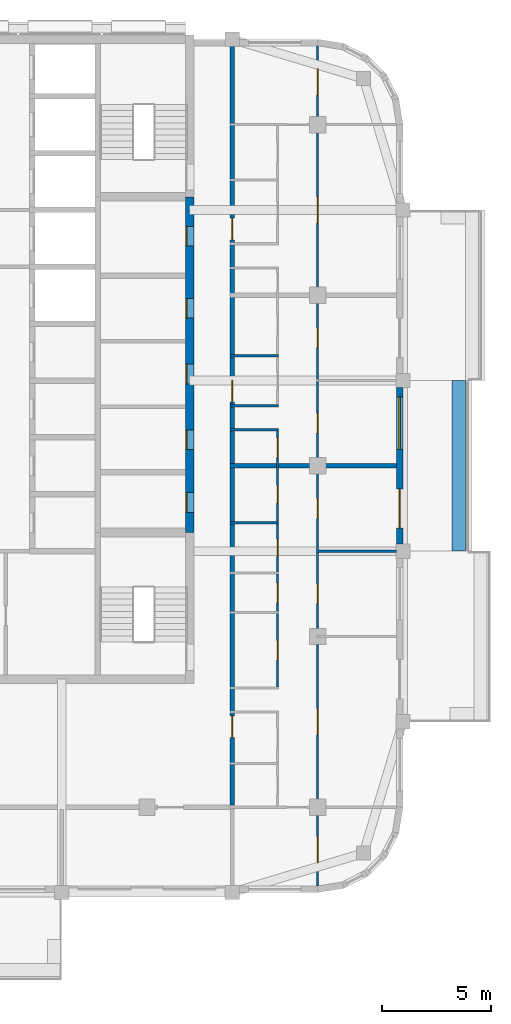
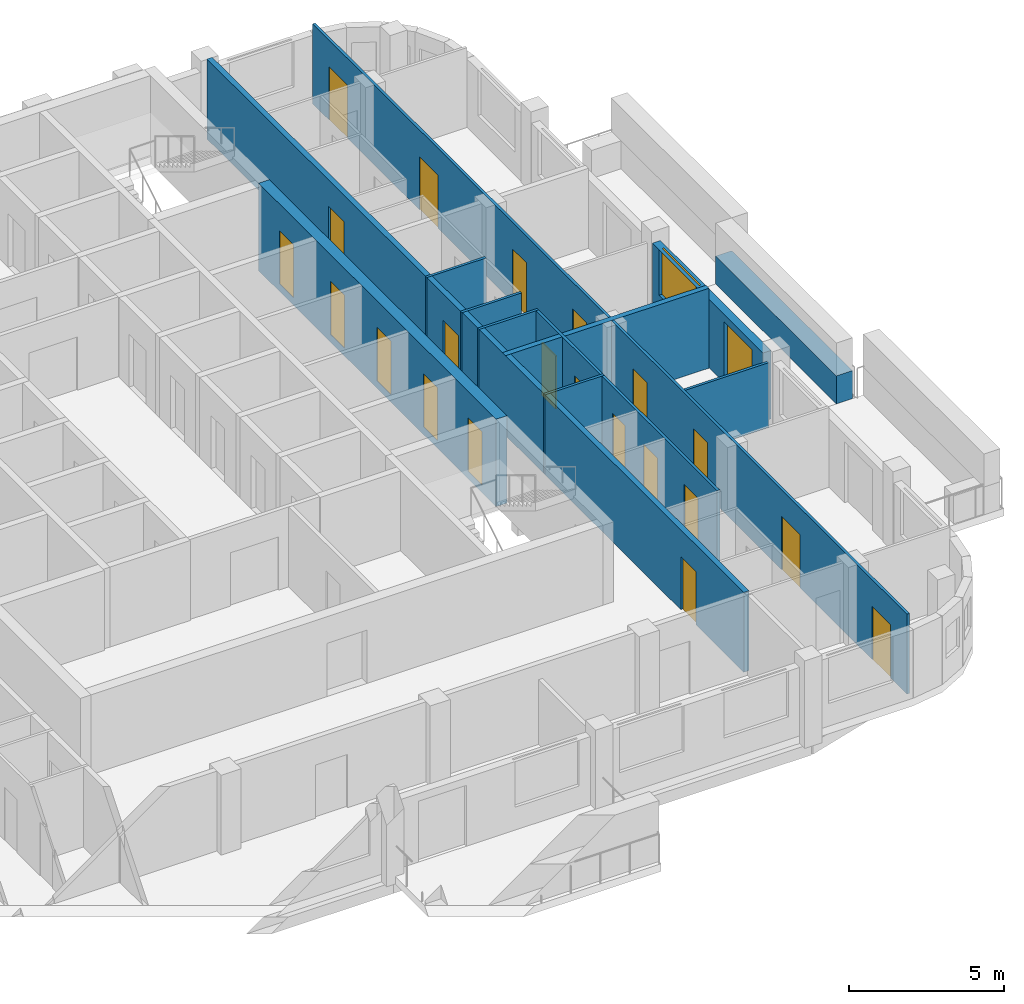
# One storey, part 6 of 13: 22 doors, 12 walls, 1 window, 23 openings.
"""IFC4 building model written with IfcOpenShell, lengths in metres."""

from ifc_helpers import new_model, si_unit, direction, frame, frame_2d, origin, place, context, subcontext, project, spatial, rectangle, extrude, material, layer, layer_set, type_object, element, fill, save


model = new_model("IFC4")

# Units and contexts
model_context = context("Model", 3, precision=1e-05, world=origin(), true_north=direction((0.0, 1.0)))
body_context = subcontext(model_context, "Body", "Model", "MODEL_VIEW")
ifc_project = project(units=[si_unit("LENGTHUNIT", "METRE"), si_unit("AREAUNIT", "SQUARE_METRE"), si_unit("VOLUMEUNIT", "CUBIC_METRE"), si_unit("PLANEANGLEUNIT", "RADIAN"), si_unit("MASSUNIT", "GRAM", prefix="KILO")], contexts=[model_context])

# Site, building, storey
site_placement = place(None, origin())
site = spatial("IfcSite", under=ifc_project, at=site_placement, CompositionType="ELEMENT")
building_placement = place(site_placement, origin())
building = spatial("IfcBuilding", under=site, at=building_placement, Name="Ludao Terraces", CompositionType="ELEMENT")
storey_placement = place(building_placement, frame((0.0, 0.0, 246.0)))
storey = spatial("IfcBuildingStorey", under=building, at=storey_placement, Name="L67", CompositionType="ELEMENT", Elevation=246.0)

# Wall, openings, doors
ifc_material_1 = material(Name="Concrete C50", Category="concrete")
ifc_layer_1 = layer(ifc_material_1, 0.39990234375)
ifc_layer_set_1 = layer_set([ifc_layer_1], Name="Core wall 400 C50")
wall_type_1 = type_object("IfcWallType", Name="Core wall 400 C50", PredefinedType="SOLIDWALL", material=ifc_layer_set_1)
wall_1_placement = place(storey_placement, frame((94.75, 61.949951171875, -0.300048828125), z_axis=(0.0, 0.0, 1.0), x_axis=(0.0, 1.0, 0.0)))
wall_1 = element("IfcWall", 1, at=wall_1_placement, inside=storey, type_object=wall_type_1, Name="Core wall L67 outer-E", PredefinedType="SOLIDWALL", context=body_context, shape_type="SweptSolid", body=[
    extrude(rectangle(XDim=15.35009765625, YDim=0.39990234375, at=frame_2d((7.675048828125, 0.0))), origin(), (0.0, 0.0, 1.0), 3.449951171875),
])
opening_1_placement = place(wall_1_placement, frame((0.925048828125, 0.0, 0.300048828125)))
opening_1 = element("IfcOpeningElement", 2, at=opening_1_placement, cuts=wall_1, Name="Opening R24-033", PredefinedType="OPENING", context=body_context, shape_type="SweptSolid", body=[
    extrude(rectangle(XDim=0.89990234375, YDim=2.10009765625, at=frame_2d((0.449951171875, 1.050048828125))), frame((0.0, 0.2099609375, 0.0), z_axis=(0.0, -1.0, 0.0), x_axis=(1.0, 0.0, 0.0)), (0.0, 0.0, 1.0), 0.419921875),
])
opening_2_placement = place(wall_1_placement, frame((3.800048828125, 0.0, 0.300048828125)))
opening_2 = element("IfcOpeningElement", 3, at=opening_2_placement, cuts=wall_1, Name="Opening R24-040", PredefinedType="OPENING", context=body_context, shape_type="SweptSolid", body=[
    extrude(rectangle(XDim=0.89990234375, YDim=2.10009765625, at=frame_2d((0.449951171875, 1.050048828125))), frame((0.0, 0.2099609375, 0.0), z_axis=(0.0, -1.0, 0.0), x_axis=(1.0, 0.0, 0.0)), (0.0, 0.0, 1.0), 0.419921875),
])
opening_3_placement = place(wall_1_placement, frame((6.800048828125, 0.0, 0.300048828125)))
opening_3 = element("IfcOpeningElement", 4, at=opening_3_placement, cuts=wall_1, Name="Opening R24-050", PredefinedType="OPENING", context=body_context, shape_type="SweptSolid", body=[
    extrude(rectangle(XDim=0.89990234375, YDim=2.10009765625, at=frame_2d((0.449951171875, 1.050048828125))), frame((0.0, 0.2099609375, 0.0), z_axis=(0.0, -1.0, 0.0), x_axis=(1.0, 0.0, 0.0)), (0.0, 0.0, 1.0), 0.419921875),
])
opening_4_placement = place(wall_1_placement, frame((9.800048828125, 0.0, 0.300048828125)))
opening_4 = element("IfcOpeningElement", 5, at=opening_4_placement, cuts=wall_1, Name="Opening R24-058", PredefinedType="OPENING", context=body_context, shape_type="SweptSolid", body=[
    extrude(rectangle(XDim=0.89990234375, YDim=2.10009765625, at=frame_2d((0.449951171875, 1.050048828125))), frame((0.0, 0.2099609375, 0.0), z_axis=(0.0, -1.0, 0.0), x_axis=(1.0, 0.0, 0.0)), (0.0, 0.0, 1.0), 0.419921875),
])
opening_5_placement = place(wall_1_placement, frame((13.10009765625, 0.0, 0.300048828125)))
opening_5 = element("IfcOpeningElement", 6, at=opening_5_placement, cuts=wall_1, Name="Opening R24-067", PredefinedType="OPENING", context=body_context, shape_type="SweptSolid", body=[
    extrude(rectangle(XDim=0.89990234375, YDim=2.10009765625, at=frame_2d((0.449951171875, 1.050048828125))), frame((0.0, 0.2099609375, 0.0), z_axis=(0.0, -1.0, 0.0), x_axis=(1.0, 0.0, 0.0)), (0.0, 0.0, 1.0), 0.419921875),
])
ifc_material_2 = material(Name="Steel Q235", Category="steel")
door_type_1 = type_object("IfcDoorType", Name="INT Riser door 900", OperationType="SINGLE_SWING_LEFT", PredefinedType="DOOR", material=ifc_material_2)
door_1_placement = place(opening_1_placement, origin())
door_1 = element("IfcDoor", 7, at=door_1_placement, inside=storey, type_object=door_type_1, Name="DOOR 033", OperationType="SINGLE_SWING_LEFT", OverallHeight=2.10009765625, OverallWidth=0.89990234375, PredefinedType="DOOR", context=body_context, shape_type="SweptSolid", body=[
    extrude(rectangle(XDim=0.89990234375, YDim=2.10009765625, at=frame_2d((0.449951171875, 1.050048828125))), frame((0.0, 0.18505859375, 0.0), z_axis=(0.0, -1.0, 0.0), x_axis=(1.0, 0.0, 0.0)), (0.0, 0.0, 1.0), 0.050048828125),
])
fill(opening_1, door_1)
door_2_placement = place(opening_5_placement, origin())
door_2 = element("IfcDoor", 8, at=door_2_placement, inside=storey, type_object=door_type_1, Name="DOOR 067", OperationType="SINGLE_SWING_RIGHT", OverallHeight=2.10009765625, OverallWidth=0.89990234375, PredefinedType="DOOR", context=body_context, shape_type="SweptSolid", body=[
    extrude(rectangle(XDim=0.89990234375, YDim=2.10009765625, at=frame_2d((0.449951171875, 1.050048828125))), frame((0.0, 0.18505859375, 0.0), z_axis=(0.0, -1.0, 0.0), x_axis=(1.0, 0.0, 0.0)), (0.0, 0.0, 1.0), 0.050048828125),
])
fill(opening_5, door_2)
ifc_material_3 = material(Name="Timber door leaf", Category="wood")
door_type_2 = type_object("IfcDoorType", Name="INT Room door 900", OperationType="SINGLE_SWING_LEFT", PredefinedType="DOOR", material=ifc_material_3)
door_3_placement = place(opening_2_placement, origin())
door_3 = element("IfcDoor", 9, at=door_3_placement, inside=storey, type_object=door_type_2, Name="DOOR 040", OperationType="SINGLE_SWING_LEFT", OverallHeight=2.10009765625, OverallWidth=0.89990234375, PredefinedType="DOOR", context=body_context, shape_type="SweptSolid", body=[
    extrude(rectangle(XDim=0.89990234375, YDim=2.10009765625, at=frame_2d((0.449951171875, 1.050048828125))), frame((0.0, 0.18505859375, 0.0), z_axis=(0.0, -1.0, 0.0), x_axis=(1.0, 0.0, 0.0)), (0.0, 0.0, 1.0), 0.050048828125),
])
fill(opening_2, door_3)
door_4_placement = place(opening_3_placement, origin())
door_4 = element("IfcDoor", 10, at=door_4_placement, inside=storey, type_object=door_type_2, Name="DOOR 050", OperationType="SINGLE_SWING_LEFT", OverallHeight=2.10009765625, OverallWidth=0.89990234375, PredefinedType="DOOR", context=body_context, shape_type="SweptSolid", body=[
    extrude(rectangle(XDim=0.89990234375, YDim=2.10009765625, at=frame_2d((0.449951171875, 1.050048828125))), frame((0.0, 0.18505859375, 0.0), z_axis=(0.0, -1.0, 0.0), x_axis=(1.0, 0.0, 0.0)), (0.0, 0.0, 1.0), 0.050048828125),
])
fill(opening_3, door_4)
door_5_placement = place(opening_4_placement, origin())
door_5 = element("IfcDoor", 11, at=door_5_placement, inside=storey, type_object=door_type_2, Name="DOOR 058", OperationType="SINGLE_SWING_LEFT", OverallHeight=2.10009765625, OverallWidth=0.89990234375, PredefinedType="DOOR", context=body_context, shape_type="SweptSolid", body=[
    extrude(rectangle(XDim=0.89990234375, YDim=2.10009765625, at=frame_2d((0.449951171875, 1.050048828125))), frame((0.0, 0.18505859375, 0.0), z_axis=(0.0, -1.0, 0.0), x_axis=(1.0, 0.0, 0.0)), (0.0, 0.0, 1.0), 0.050048828125),
])
fill(opening_4, door_5)

# Wall
ifc_material_4 = material(Name="Concrete C40", Category="concrete")
ifc_layer_2 = layer(ifc_material_4, 0.60009765625)
ifc_layer_set_2 = layer_set([ifc_layer_2], Name="ENV Planter trough 600")
wall_type_2 = type_object("IfcWallType", Name="ENV Planter trough 600", PredefinedType="USERDEFINED", material=ifc_layer_set_2)
wall_2_placement = place(storey_placement, frame((107.050048828125, 61.10009765625, 0.0), z_axis=(0.0, 0.0, 1.0), x_axis=(0.0, 1.0, 0.0)))
element("IfcWall", 12, at=wall_2_placement, inside=storey, type_object=wall_type_2, Name="PL-L67-E2", ObjectType="PLANTER", PredefinedType="USERDEFINED", context=body_context, shape_type="SweptSolid", body=[
    extrude(rectangle(XDim=7.7998046875, YDim=0.60009765625, at=frame_2d((3.89990234375, 0.0))), origin(), (0.0, 0.0, 1.0), 1.10009765625),
])

# Wall, openings, door, window
ifc_material_5 = material(Name="Granite cladding", Category="masonry")
ifc_layer_3 = layer(ifc_material_5, 0.0400390625, Category="stone")
ifc_material_6 = material(Name="Mineral wool")
ifc_layer_4 = layer(ifc_material_6, 0.06005859375)
ifc_layer_5 = layer(ifc_material_4, 0.199951171875, Category="concrete")
ifc_layer_set_3 = layer_set([ifc_layer_3, ifc_layer_4, ifc_layer_5], Name="ENV Stone-clad wall 300")
wall_type_3 = type_object("IfcWallType", Name="ENV Stone-clad wall 300", PredefinedType="SOLIDWALL", material=ifc_layer_set_3)
wall_3_placement = place(storey_placement, frame((104.35009765625, 61.425048828125, 0.0), z_axis=(0.0, 0.0, 1.0), x_axis=(0.0, 1.0, 0.0)))
wall_3 = element("IfcWall", 13, at=wall_3_placement, inside=storey, type_object=wall_type_3, Name="EW-L67-E3", PredefinedType="SOLIDWALL", context=body_context, shape_type="SweptSolid", body=[
    extrude(rectangle(XDim=7.14990234375, YDim=0.300048828125, at=frame_2d((3.574951171875, 0.0))), origin(), (0.0, 0.0, 1.0), 2.699951171875),
])
opening_6_placement = place(wall_3_placement, frame((0.72509765625, 0.0, 0.0)))
opening_6 = element("IfcOpeningElement", 14, at=opening_6_placement, cuts=wall_3, Name="Opening BD", PredefinedType="OPENING", context=body_context, shape_type="SweptSolid", body=[
    extrude(rectangle(XDim=1.800048828125, YDim=2.39990234375, at=frame_2d((0.89990234375, 1.199951171875))), frame((0.0, 0.16015625, 0.0), z_axis=(0.0, -1.0, 0.0), x_axis=(1.0, 0.0, 0.0)), (0.0, 0.0, 1.0), 0.320068359375),
])
opening_7_placement = place(wall_3_placement, frame((4.324951171875, 0.0, 0.89990234375)))
opening_7 = element("IfcOpeningElement", 15, at=opening_7_placement, cuts=wall_3, Name="Opening W1", PredefinedType="OPENING", context=body_context, shape_type="SweptSolid", body=[
    extrude(rectangle(XDim=2.39990234375, YDim=1.800048828125, at=frame_2d((1.199951171875, 0.89990234375))), frame((0.0, 0.16015625, 0.0), z_axis=(0.0, -1.0, 0.0), x_axis=(1.0, 0.0, 0.0)), (0.0, 0.0, 1.0), 0.320068359375),
])
ifc_material_7 = material(Name="Aluminium glazed door", Category="aluminium")
ifc_layer_6 = layer(ifc_material_7, 0.06005859375)
ifc_layer_set_4 = layer_set([ifc_layer_6], Name="ENV Balcony door BD 1800x2400")
door_type_3 = type_object("IfcDoorType", Name="ENV Balcony door BD 1800x2400", OperationType="DOUBLE_DOOR_SINGLE_SWING", PredefinedType="DOOR", material=ifc_layer_set_4)
door_6_placement = place(opening_6_placement, origin())
door_6 = element("IfcDoor", 16, at=door_6_placement, inside=storey, type_object=door_type_3, Name="BD-L67-E3-1", OperationType="DOUBLE_DOOR_SINGLE_SWING", OverallHeight=2.39990234375, OverallWidth=1.800048828125, PredefinedType="DOOR", context=body_context, shape_type="SweptSolid", body=[
    extrude(rectangle(XDim=1.800048828125, YDim=2.39990234375, at=frame_2d((0.89990234375, 1.199951171875))), frame((0.0, 0.02490234375, 0.0), z_axis=(0.0, -1.0, 0.0), x_axis=(1.0, 0.0, 0.0)), (0.0, 0.0, 1.0), 0.050048828125),
])
fill(opening_6, door_6)
ifc_material_8 = material(Name="Clear glass in aluminium frame", Category="aluminium")
ifc_layer_7 = layer(ifc_material_8, 0.06005859375)
ifc_layer_set_5 = layer_set([ifc_layer_7], Name="ENV Window W1 2400x1800")
window_type = type_object("IfcWindowType", Name="ENV Window W1 2400x1800", PartitioningType="DOUBLE_PANEL_VERTICAL", PredefinedType="WINDOW", material=ifc_layer_set_5)
window_placement = place(opening_7_placement, origin())
window = element("IfcWindow", 17, at=window_placement, inside=storey, type_object=window_type, Name="W-L67-E3-2", OverallHeight=1.800048828125, OverallWidth=2.39990234375, PartitioningType="DOUBLE_PANEL_VERTICAL", PredefinedType="WINDOW", context=body_context, shape_type="SweptSolid", body=[
    extrude(rectangle(XDim=2.39990234375, YDim=1.800048828125, at=frame_2d((1.199951171875, 0.89990234375))), frame((0.0, 0.030029296875, 0.0), z_axis=(0.0, -1.0, 0.0), x_axis=(1.0, 0.0, 0.0)), (0.0, 0.0, 1.0), 0.06005859375),
])
fill(opening_7, window)

# Wall, openings, doors
ifc_material_9 = material(Name="Autoclaved aerated concrete block B06 A3.5", Category="concrete")
ifc_layer_8 = layer(ifc_material_9, 0.199951171875)
ifc_layer_set_6 = layer_set([ifc_layer_8], Name="INT Entrance wall 200")
wall_type_4 = type_object("IfcWallType", Name="INT Entrance wall 200", PredefinedType="PARTITIONING", material=ifc_layer_set_6)
wall_4_placement = place(storey_placement, frame((96.699951171875, 49.5, 0.0), z_axis=(0.0, 0.0, 1.0), x_axis=(0.0, 1.0, 0.0)))
wall_4 = element("IfcWall", 18, at=wall_4_placement, inside=storey, type_object=wall_type_4, Name="PW-L67-PW056", PredefinedType="PARTITIONING", context=body_context, shape_type="SweptSolid", body=[
    extrude(rectangle(XDim=34.7001953125, YDim=0.199951171875, at=frame_2d((17.35009765625, 0.0))), origin(), (0.0, 0.0, 1.0), 3.14990234375),
])
opening_8_placement = place(wall_4_placement, frame((3.0751953125, 0.0, 0.0)))
opening_8 = element("IfcOpeningElement", 19, at=opening_8_placement, cuts=wall_4, Name="Opening R24-012", PredefinedType="OPENING", context=body_context, shape_type="SweptSolid", body=[
    extrude(rectangle(XDim=1.0, YDim=2.10009765625, at=frame_2d((0.5, 1.050048828125))), frame((0.0, 0.10986328125, 0.0), z_axis=(0.0, -1.0, 0.0), x_axis=(1.0, 0.0, 0.0)), (0.0, 0.0, 1.0), 0.219970703125),
])
opening_9_placement = place(wall_4_placement, frame((18.425048828125, 0.0, 0.0)))
opening_9 = element("IfcOpeningElement", 20, at=opening_9_placement, cuts=wall_4, Name="Opening R24-047", PredefinedType="OPENING", context=body_context, shape_type="SweptSolid", body=[
    extrude(rectangle(XDim=1.0, YDim=2.10009765625, at=frame_2d((0.5, 1.050048828125))), frame((0.0, 0.10986328125, 0.0), z_axis=(0.0, -1.0, 0.0), x_axis=(1.0, 0.0, 0.0)), (0.0, 0.0, 1.0), 0.219970703125),
])
opening_10_placement = place(wall_4_placement, frame((25.8251953125, 0.0, 0.0)))
opening_10 = element("IfcOpeningElement", 21, at=opening_10_placement, cuts=wall_4, Name="Opening R24-069", PredefinedType="OPENING", context=body_context, shape_type="SweptSolid", body=[
    extrude(rectangle(XDim=1.0, YDim=2.10009765625, at=frame_2d((0.5, 1.050048828125))), frame((0.0, 0.10986328125, 0.0), z_axis=(0.0, -1.0, 0.0), x_axis=(1.0, 0.0, 0.0)), (0.0, 0.0, 1.0), 0.219970703125),
])
door_type_4 = type_object("IfcDoorType", Name="INT Flat entrance door 1000", OperationType="SINGLE_SWING_LEFT", PredefinedType="DOOR", material=ifc_material_2)
door_7_placement = place(opening_8_placement, origin())
door_7 = element("IfcDoor", 22, at=door_7_placement, inside=storey, type_object=door_type_4, Name="DOOR 012", OperationType="SINGLE_SWING_RIGHT", OverallHeight=2.10009765625, OverallWidth=1.0, PredefinedType="DOOR", context=body_context, shape_type="SweptSolid", body=[
    extrude(rectangle(XDim=1.0, YDim=2.10009765625, at=frame_2d((0.5, 1.050048828125))), frame((0.0, 0.02490234375, 0.0), z_axis=(0.0, -1.0, 0.0), x_axis=(1.0, 0.0, 0.0)), (0.0, 0.0, 1.0), 0.050048828125),
])
fill(opening_8, door_7)
door_8_placement = place(opening_9_placement, origin())
door_8 = element("IfcDoor", 23, at=door_8_placement, inside=storey, type_object=door_type_4, Name="DOOR 047", OperationType="SINGLE_SWING_LEFT", OverallHeight=2.10009765625, OverallWidth=1.0, PredefinedType="DOOR", context=body_context, shape_type="SweptSolid", body=[
    extrude(rectangle(XDim=1.0, YDim=2.10009765625, at=frame_2d((0.5, 1.050048828125))), frame((0.0, 0.02490234375, 0.0), z_axis=(0.0, -1.0, 0.0), x_axis=(1.0, 0.0, 0.0)), (0.0, 0.0, 1.0), 0.050048828125),
])
fill(opening_9, door_8)
door_9_placement = place(opening_10_placement, origin())
door_9 = element("IfcDoor", 24, at=door_9_placement, inside=storey, type_object=door_type_4, Name="DOOR 069", OperationType="SINGLE_SWING_LEFT", OverallHeight=2.10009765625, OverallWidth=1.0, PredefinedType="DOOR", context=body_context, shape_type="SweptSolid", body=[
    extrude(rectangle(XDim=1.0, YDim=2.10009765625, at=frame_2d((0.5, 1.050048828125))), frame((0.0, 0.02490234375, 0.0), z_axis=(0.0, -1.0, 0.0), x_axis=(1.0, 0.0, 0.0)), (0.0, 0.0, 1.0), 0.050048828125),
])
fill(opening_10, door_9)

# Walls
ifc_material_10 = material(Name="Gypsum plasterboard", Category="gypsum")
ifc_layer_9 = layer(ifc_material_10, 0.012451171875, Category="gypsum")
ifc_layer_10 = layer(ifc_material_6, 0.06005859375, Name="insulation")
ifc_layer_11 = layer(ifc_material_2, 0.014892578125, Name="stud")
ifc_layer_12 = layer(ifc_material_10, 0.012451171875, Category="gypsum")
ifc_layer_set_7 = layer_set([ifc_layer_9, ifc_layer_10, ifc_layer_11, ifc_layer_12], Name="INT Partition 100")
wall_type_5 = type_object("IfcWallType", Name="INT Partition 100", PredefinedType="PARTITIONING", material=ifc_layer_set_7)
wall_5_placement = place(storey_placement, frame((100.550048828125, 61.10009765625, 0.0), z_axis=(0.0, 0.0, 1.0), x_axis=(1.0, 0.0, 0.0)))
element("IfcWall", 25, at=wall_5_placement, inside=storey, type_object=wall_type_5, Name="PW-L67-PW018", PredefinedType="PARTITIONING", context=body_context, shape_type="SweptSolid", body=[
    extrude(rectangle(XDim=3.650146484375, YDim=0.10009765625, at=frame_2d((1.8251953125, 0.0))), origin(), (0.0, 0.0, 1.0), 2.550048828125),
])
for number, where, z_axis, x_axis, name in (
    (26, (96.60009765625, 62.39990234375, 0.0), (0.0, 0.0, 1.0), (1.0, 0.0, 0.0), "PW-L67-PW020"),
    (27, (96.60009765625, 66.64990234375, 0.0), (0.0, 0.0, 1.0), (1.0, 0.0, 0.0), "PW-L67-PW024"),
    (28, (96.60009765625, 67.75, 0.0), (0.0, 0.0, 1.0), (1.0, 0.0, 0.0), "PW-L67-PW027"),
    (29, (96.60009765625, 70.030029296875, 0.0), (0.0, 0.0, 1.0), (1.0, 0.0, 0.0), "PW-L67-PW030"),
):
    element("IfcWall", number, at=place(storey_placement, frame(where, z_axis=z_axis, x_axis=x_axis)), inside=storey, type_object=wall_type_5, Name=name, PredefinedType="PARTITIONING", context=body_context, shape_type="SweptSolid", body=[
        extrude(rectangle(XDim=2.219970703125, YDim=0.10009765625, at=frame_2d((1.10986328125, 0.0))), origin(), (0.0, 0.0, 1.0), 3.14990234375),
    ])

# Wall, openings, doors
wall_6_placement = place(storey_placement, frame((98.77001953125, 54.900146484375, 0.0), z_axis=(0.0, 0.0, 1.0), x_axis=(0.0, 1.0, 0.0)))
wall_6 = element("IfcWall", 30, at=wall_6_placement, inside=storey, type_object=wall_type_5, Name="PW-L67-PW058", PredefinedType="PARTITIONING", context=body_context, shape_type="SweptSolid", body=[
    extrude(rectangle(XDim=11.699951171875, YDim=0.10009765625, at=frame_2d((5.85009765625, 0.0))), origin(), (0.0, 0.0, 1.0), 3.14990234375),
])
opening_11_placement = place(wall_6_placement, frame((1.22509765625, 0.0, 0.0)))
opening_11 = element("IfcOpeningElement", 31, at=opening_11_placement, cuts=wall_6, Name="Opening R24-019", PredefinedType="OPENING", context=body_context, shape_type="SweptSolid", body=[
    extrude(rectangle(XDim=0.89990234375, YDim=2.10009765625, at=frame_2d((0.449951171875, 1.050048828125))), frame((0.0, 0.06005859375, 0.0), z_axis=(0.0, -1.0, 0.0), x_axis=(1.0, 0.0, 0.0)), (0.0, 0.0, 1.0), 0.1201171875),
])
opening_12_placement = place(wall_6_placement, frame((3.85009765625, 0.0, 0.0)))
opening_12 = element("IfcOpeningElement", 32, at=opening_12_placement, cuts=wall_6, Name="Opening R24-024", PredefinedType="OPENING", context=body_context, shape_type="SweptSolid", body=[
    extrude(rectangle(XDim=0.89990234375, YDim=2.10009765625, at=frame_2d((0.449951171875, 1.050048828125))), frame((0.0, 0.06005859375, 0.0), z_axis=(0.0, -1.0, 0.0), x_axis=(1.0, 0.0, 0.0)), (0.0, 0.0, 1.0), 0.1201171875),
])
opening_13_placement = place(wall_6_placement, frame((5.949951171875, 0.0, 0.0)))
opening_13 = element("IfcOpeningElement", 33, at=opening_13_placement, cuts=wall_6, Name="Opening R24-027", PredefinedType="OPENING", context=body_context, shape_type="SweptSolid", body=[
    extrude(rectangle(XDim=0.800048828125, YDim=2.10009765625, at=frame_2d((0.39990234375, 1.050048828125))), frame((0.0, 0.06005859375, 0.0), z_axis=(0.0, -1.0, 0.0), x_axis=(1.0, 0.0, 0.0)), (0.0, 0.0, 1.0), 0.1201171875),
])
opening_14_placement = place(wall_6_placement, frame((8.39990234375, 0.0, 0.0)))
opening_14 = element("IfcOpeningElement", 34, at=opening_14_placement, cuts=wall_6, Name="Opening R24-035", PredefinedType="OPENING", context=body_context, shape_type="SweptSolid", body=[
    extrude(rectangle(XDim=0.800048828125, YDim=2.10009765625, at=frame_2d((0.39990234375, 1.050048828125))), frame((0.0, 0.06005859375, 0.0), z_axis=(0.0, -1.0, 0.0), x_axis=(1.0, 0.0, 0.0)), (0.0, 0.0, 1.0), 0.1201171875),
])
opening_15_placement = place(wall_6_placement, frame((10.47509765625, 0.0, 0.0)))
opening_15 = element("IfcOpeningElement", 35, at=opening_15_placement, cuts=wall_6, Name="Opening R24-039", PredefinedType="OPENING", context=body_context, shape_type="SweptSolid", body=[
    extrude(rectangle(XDim=0.89990234375, YDim=2.10009765625, at=frame_2d((0.449951171875, 1.050048828125))), frame((0.0, 0.06005859375, 0.0), z_axis=(0.0, -1.0, 0.0), x_axis=(1.0, 0.0, 0.0)), (0.0, 0.0, 1.0), 0.1201171875),
])
door_type_5 = type_object("IfcDoorType", Name="INT Bathroom door 900", OperationType="SINGLE_SWING_LEFT", PredefinedType="DOOR", material=ifc_material_3)
door_10_placement = place(opening_12_placement, origin())
door_10 = element("IfcDoor", 36, at=door_10_placement, inside=storey, type_object=door_type_5, Name="DOOR 024", OperationType="SINGLE_SWING_LEFT", OverallHeight=2.10009765625, OverallWidth=0.89990234375, PredefinedType="DOOR", context=body_context, shape_type="SweptSolid", body=[
    extrude(rectangle(XDim=0.89990234375, YDim=2.10009765625, at=frame_2d((0.449951171875, 1.050048828125))), frame((0.0, 0.02490234375, 0.0), z_axis=(0.0, -1.0, 0.0), x_axis=(1.0, 0.0, 0.0)), (0.0, 0.0, 1.0), 0.050048828125),
])
fill(opening_12, door_10)
door_11_placement = place(opening_15_placement, origin())
door_11 = element("IfcDoor", 37, at=door_11_placement, inside=storey, type_object=door_type_5, Name="DOOR 039", OperationType="SINGLE_SWING_LEFT", OverallHeight=2.10009765625, OverallWidth=0.89990234375, PredefinedType="DOOR", context=body_context, shape_type="SweptSolid", body=[
    extrude(rectangle(XDim=0.89990234375, YDim=2.10009765625, at=frame_2d((0.449951171875, 1.050048828125))), frame((0.0, 0.02490234375, 0.0), z_axis=(0.0, -1.0, 0.0), x_axis=(1.0, 0.0, 0.0)), (0.0, 0.0, 1.0), 0.050048828125),
])
fill(opening_15, door_11)
door_12_placement = place(opening_11_placement, origin())
door_12 = element("IfcDoor", 38, at=door_12_placement, inside=storey, type_object=door_type_2, Name="DOOR 019", OperationType="SINGLE_SWING_LEFT", OverallHeight=2.10009765625, OverallWidth=0.89990234375, PredefinedType="DOOR", context=body_context, shape_type="SweptSolid", body=[
    extrude(rectangle(XDim=0.89990234375, YDim=2.10009765625, at=frame_2d((0.449951171875, 1.050048828125))), frame((0.0, 0.02490234375, 0.0), z_axis=(0.0, -1.0, 0.0), x_axis=(1.0, 0.0, 0.0)), (0.0, 0.0, 1.0), 0.050048828125),
])
fill(opening_11, door_12)
door_type_6 = type_object("IfcDoorType", Name="INT Store door 800", OperationType="SINGLE_SWING_LEFT", PredefinedType="DOOR", material=ifc_material_3)
door_13_placement = place(opening_13_placement, origin())
door_13 = element("IfcDoor", 39, at=door_13_placement, inside=storey, type_object=door_type_6, Name="DOOR 027", OperationType="SINGLE_SWING_LEFT", OverallHeight=2.10009765625, OverallWidth=0.800048828125, PredefinedType="DOOR", context=body_context, shape_type="SweptSolid", body=[
    extrude(rectangle(XDim=0.800048828125, YDim=2.10009765625, at=frame_2d((0.39990234375, 1.050048828125))), frame((0.0, 0.02490234375, 0.0), z_axis=(0.0, -1.0, 0.0), x_axis=(1.0, 0.0, 0.0)), (0.0, 0.0, 1.0), 0.050048828125),
])
fill(opening_13, door_13)
door_14_placement = place(opening_14_placement, origin())
door_14 = element("IfcDoor", 40, at=door_14_placement, inside=storey, type_object=door_type_6, Name="DOOR 035", OperationType="SINGLE_SWING_LEFT", OverallHeight=2.10009765625, OverallWidth=0.800048828125, PredefinedType="DOOR", context=body_context, shape_type="SweptSolid", body=[
    extrude(rectangle(XDim=0.800048828125, YDim=2.10009765625, at=frame_2d((0.39990234375, 1.050048828125))), frame((0.0, 0.02490234375, 0.0), z_axis=(0.0, -1.0, 0.0), x_axis=(1.0, 0.0, 0.0)), (0.0, 0.0, 1.0), 0.050048828125),
])
fill(opening_14, door_14)

wall_7_placement = place(storey_placement, frame((100.60009765625, 45.800048828125, 0.0), z_axis=(0.0, 0.0, 1.0), x_axis=(0.0, 1.0, 0.0)))
wall_7 = element("IfcWall", 41, at=wall_7_placement, inside=storey, type_object=wall_type_5, Name="PW-L67-PW061", PredefinedType="PARTITIONING", context=body_context, shape_type="SweptSolid", body=[
    extrude(rectangle(XDim=38.400146484375, YDim=0.10009765625, at=frame_2d((19.2001953125, 0.0))), origin(), (0.0, 0.0, 1.0), 3.14990234375),
])
opening_16_placement = place(wall_7_placement, frame((1.050048828125, 0.0, 0.0)))
opening_16 = element("IfcOpeningElement", 42, at=opening_16_placement, cuts=wall_7, Name="Opening R24-002", PredefinedType="OPENING", context=body_context, shape_type="SweptSolid", body=[
    extrude(rectangle(XDim=1.199951171875, YDim=2.10009765625, at=frame_2d((0.60009765625, 1.050048828125))), frame((0.0, 0.06005859375, 0.0), z_axis=(0.0, -1.0, 0.0), x_axis=(1.0, 0.0, 0.0)), (0.0, 0.0, 1.0), 0.1201171875),
])
opening_17_placement = place(wall_7_placement, frame((6.89990234375, 0.0, 0.0)))
opening_17 = element("IfcOpeningElement", 43, at=opening_17_placement, cuts=wall_7, Name="Opening R24-013", PredefinedType="OPENING", context=body_context, shape_type="SweptSolid", body=[
    extrude(rectangle(XDim=1.199951171875, YDim=2.10009765625, at=frame_2d((0.60009765625, 1.050048828125))), frame((0.0, 0.06005859375, 0.0), z_axis=(0.0, -1.0, 0.0), x_axis=(1.0, 0.0, 0.0)), (0.0, 0.0, 1.0), 0.1201171875),
])
opening_18_placement = place(wall_7_placement, frame((12.89990234375, 0.0, 0.0)))
opening_18 = element("IfcOpeningElement", 44, at=opening_18_placement, cuts=wall_7, Name="Opening R24-023", PredefinedType="OPENING", context=body_context, shape_type="SweptSolid", body=[
    extrude(rectangle(XDim=0.89990234375, YDim=2.10009765625, at=frame_2d((0.449951171875, 1.050048828125))), frame((0.0, 0.06005859375, 0.0), z_axis=(0.0, -1.0, 0.0), x_axis=(1.0, 0.0, 0.0)), (0.0, 0.0, 1.0), 0.1201171875),
])
opening_19_placement = place(wall_7_placement, frame((16.800048828125, 0.0, 0.0)))
opening_19 = element("IfcOpeningElement", 45, at=opening_19_placement, cuts=wall_7, Name="Opening R24-032", PredefinedType="OPENING", context=body_context, shape_type="SweptSolid", body=[
    extrude(rectangle(XDim=0.89990234375, YDim=2.10009765625, at=frame_2d((0.449951171875, 1.050048828125))), frame((0.0, 0.06005859375, 0.0), z_axis=(0.0, -1.0, 0.0), x_axis=(1.0, 0.0, 0.0)), (0.0, 0.0, 1.0), 0.1201171875),
])
opening_20_placement = place(wall_7_placement, frame((20.699951171875, 0.0, 0.0)))
opening_20 = element("IfcOpeningElement", 46, at=opening_20_placement, cuts=wall_7, Name="Opening R24-042", PredefinedType="OPENING", context=body_context, shape_type="SweptSolid", body=[
    extrude(rectangle(XDim=0.89990234375, YDim=2.10009765625, at=frame_2d((0.449951171875, 1.050048828125))), frame((0.0, 0.06005859375, 0.0), z_axis=(0.0, -1.0, 0.0), x_axis=(1.0, 0.0, 0.0)), (0.0, 0.0, 1.0), 0.1201171875),
])
opening_21_placement = place(wall_7_placement, frame((24.60009765625, 0.0, 0.0)))
opening_21 = element("IfcOpeningElement", 47, at=opening_21_placement, cuts=wall_7, Name="Opening R24-054", PredefinedType="OPENING", context=body_context, shape_type="SweptSolid", body=[
    extrude(rectangle(XDim=0.89990234375, YDim=2.10009765625, at=frame_2d((0.449951171875, 1.050048828125))), frame((0.0, 0.06005859375, 0.0), z_axis=(0.0, -1.0, 0.0), x_axis=(1.0, 0.0, 0.0)), (0.0, 0.0, 1.0), 0.1201171875),
])
opening_22_placement = place(wall_7_placement, frame((30.300048828125, 0.0, 0.0)))
opening_22 = element("IfcOpeningElement", 48, at=opening_22_placement, cuts=wall_7, Name="Opening R24-074", PredefinedType="OPENING", context=body_context, shape_type="SweptSolid", body=[
    extrude(rectangle(XDim=1.199951171875, YDim=2.10009765625, at=frame_2d((0.60009765625, 1.050048828125))), frame((0.0, 0.06005859375, 0.0), z_axis=(0.0, -1.0, 0.0), x_axis=(1.0, 0.0, 0.0)), (0.0, 0.0, 1.0), 0.1201171875),
])
opening_23_placement = place(wall_7_placement, frame((36.14990234375, 0.0, 0.0)))
opening_23 = element("IfcOpeningElement", 49, at=opening_23_placement, cuts=wall_7, Name="Opening R24-086", PredefinedType="OPENING", context=body_context, shape_type="SweptSolid", body=[
    extrude(rectangle(XDim=1.199951171875, YDim=2.10009765625, at=frame_2d((0.60009765625, 1.050048828125))), frame((0.0, 0.06005859375, 0.0), z_axis=(0.0, -1.0, 0.0), x_axis=(1.0, 0.0, 0.0)), (0.0, 0.0, 1.0), 0.1201171875),
])
door_type_7 = type_object("IfcDoorType", Name="INT Double door 1200", OperationType="DOUBLE_DOOR_SINGLE_SWING", PredefinedType="DOOR", material=ifc_material_3)
door_15_placement = place(opening_16_placement, origin())
door_15 = element("IfcDoor", 50, at=door_15_placement, inside=storey, type_object=door_type_7, Name="DOOR 002", OperationType="DOUBLE_DOOR_SINGLE_SWING", OverallHeight=2.10009765625, OverallWidth=1.199951171875, PredefinedType="DOOR", context=body_context, shape_type="SweptSolid", body=[
    extrude(rectangle(XDim=1.199951171875, YDim=2.10009765625, at=frame_2d((0.60009765625, 1.050048828125))), frame((0.0, 0.02490234375, 0.0), z_axis=(0.0, -1.0, 0.0), x_axis=(1.0, 0.0, 0.0)), (0.0, 0.0, 1.0), 0.050048828125),
])
fill(opening_16, door_15)
door_16_placement = place(opening_17_placement, origin())
door_16 = element("IfcDoor", 51, at=door_16_placement, inside=storey, type_object=door_type_7, Name="DOOR 013", OperationType="DOUBLE_DOOR_SINGLE_SWING", OverallHeight=2.10009765625, OverallWidth=1.199951171875, PredefinedType="DOOR", context=body_context, shape_type="SweptSolid", body=[
    extrude(rectangle(XDim=1.199951171875, YDim=2.10009765625, at=frame_2d((0.60009765625, 1.050048828125))), frame((0.0, 0.02490234375, 0.0), z_axis=(0.0, -1.0, 0.0), x_axis=(1.0, 0.0, 0.0)), (0.0, 0.0, 1.0), 0.050048828125),
])
fill(opening_17, door_16)
door_17_placement = place(opening_22_placement, origin())
door_17 = element("IfcDoor", 52, at=door_17_placement, inside=storey, type_object=door_type_7, Name="DOOR 074", OperationType="DOUBLE_DOOR_SINGLE_SWING", OverallHeight=2.10009765625, OverallWidth=1.199951171875, PredefinedType="DOOR", context=body_context, shape_type="SweptSolid", body=[
    extrude(rectangle(XDim=1.199951171875, YDim=2.10009765625, at=frame_2d((0.60009765625, 1.050048828125))), frame((0.0, 0.02490234375, 0.0), z_axis=(0.0, -1.0, 0.0), x_axis=(1.0, 0.0, 0.0)), (0.0, 0.0, 1.0), 0.050048828125),
])
fill(opening_22, door_17)
door_18_placement = place(opening_23_placement, origin())
door_18 = element("IfcDoor", 53, at=door_18_placement, inside=storey, type_object=door_type_7, Name="DOOR 086", OperationType="DOUBLE_DOOR_SINGLE_SWING", OverallHeight=2.10009765625, OverallWidth=1.199951171875, PredefinedType="DOOR", context=body_context, shape_type="SweptSolid", body=[
    extrude(rectangle(XDim=1.199951171875, YDim=2.10009765625, at=frame_2d((0.60009765625, 1.050048828125))), frame((0.0, 0.02490234375, 0.0), z_axis=(0.0, -1.0, 0.0), x_axis=(1.0, 0.0, 0.0)), (0.0, 0.0, 1.0), 0.050048828125),
])
fill(opening_23, door_18)
door_19_placement = place(opening_18_placement, origin())
door_19 = element("IfcDoor", 54, at=door_19_placement, inside=storey, type_object=door_type_2, Name="DOOR 023", OperationType="SINGLE_SWING_LEFT", OverallHeight=2.10009765625, OverallWidth=0.89990234375, PredefinedType="DOOR", context=body_context, shape_type="SweptSolid", body=[
    extrude(rectangle(XDim=0.89990234375, YDim=2.10009765625, at=frame_2d((0.449951171875, 1.050048828125))), frame((0.0, 0.02490234375, 0.0), z_axis=(0.0, -1.0, 0.0), x_axis=(1.0, 0.0, 0.0)), (0.0, 0.0, 1.0), 0.050048828125),
])
fill(opening_18, door_19)
door_20_placement = place(opening_19_placement, origin())
door_20 = element("IfcDoor", 55, at=door_20_placement, inside=storey, type_object=door_type_2, Name="DOOR 032", OperationType="SINGLE_SWING_RIGHT", OverallHeight=2.10009765625, OverallWidth=0.89990234375, PredefinedType="DOOR", context=body_context, shape_type="SweptSolid", body=[
    extrude(rectangle(XDim=0.89990234375, YDim=2.10009765625, at=frame_2d((0.449951171875, 1.050048828125))), frame((0.0, 0.02490234375, 0.0), z_axis=(0.0, -1.0, 0.0), x_axis=(1.0, 0.0, 0.0)), (0.0, 0.0, 1.0), 0.050048828125),
])
fill(opening_19, door_20)
door_21_placement = place(opening_20_placement, origin())
door_21 = element("IfcDoor", 56, at=door_21_placement, inside=storey, type_object=door_type_2, Name="DOOR 042", OperationType="SINGLE_SWING_RIGHT", OverallHeight=2.10009765625, OverallWidth=0.89990234375, PredefinedType="DOOR", context=body_context, shape_type="SweptSolid", body=[
    extrude(rectangle(XDim=0.89990234375, YDim=2.10009765625, at=frame_2d((0.449951171875, 1.050048828125))), frame((0.0, 0.02490234375, 0.0), z_axis=(0.0, -1.0, 0.0), x_axis=(1.0, 0.0, 0.0)), (0.0, 0.0, 1.0), 0.050048828125),
])
fill(opening_20, door_21)
door_22_placement = place(opening_21_placement, origin())
door_22 = element("IfcDoor", 57, at=door_22_placement, inside=storey, type_object=door_type_2, Name="DOOR 054", OperationType="SINGLE_SWING_RIGHT", OverallHeight=2.10009765625, OverallWidth=0.89990234375, PredefinedType="DOOR", context=body_context, shape_type="SweptSolid", body=[
    extrude(rectangle(XDim=0.89990234375, YDim=2.10009765625, at=frame_2d((0.449951171875, 1.050048828125))), frame((0.0, 0.02490234375, 0.0), z_axis=(0.0, -1.0, 0.0), x_axis=(1.0, 0.0, 0.0)), (0.0, 0.0, 1.0), 0.050048828125),
])
fill(opening_21, door_22)

# Wall
ifc_layer_13 = layer(ifc_material_9, 0.199951171875)
ifc_layer_set_8 = layer_set([ifc_layer_13], Name="INT Party wall 200")
wall_type_6 = type_object("IfcWallType", Name="INT Party wall 200", PredefinedType="PARTITIONING", material=ifc_layer_set_8)
wall_8_placement = place(storey_placement, frame((96.60009765625, 65.0, 0.0), z_axis=(0.0, 0.0, 1.0), x_axis=(1.0, 0.0, 0.0)))
element("IfcWall", 58, at=wall_8_placement, inside=storey, type_object=wall_type_6, Name="PW-L67-PW022", PredefinedType="PARTITIONING", context=body_context, shape_type="SweptSolid", body=[
    extrude(rectangle(XDim=7.60009765625, YDim=0.199951171875, at=frame_2d((3.800048828125, 0.0))), origin(), (0.0, 0.0, 1.0), 3.14990234375),
])

save(model, "model.ifc")
